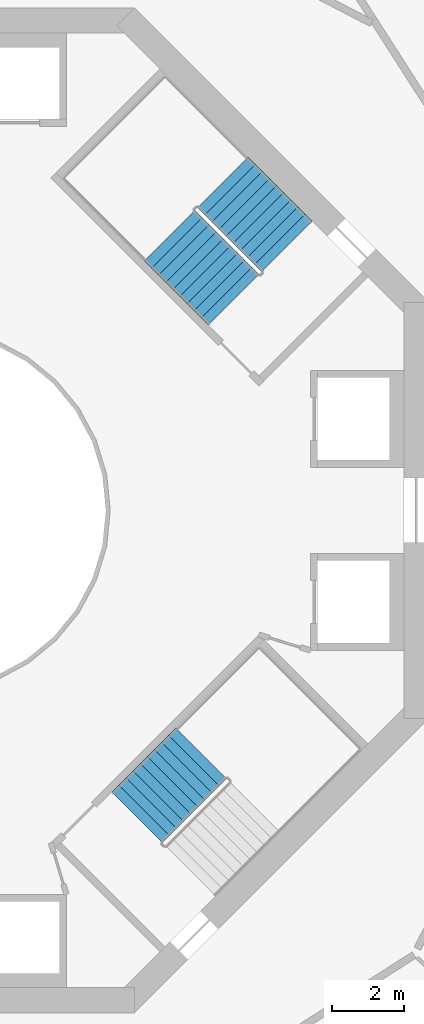
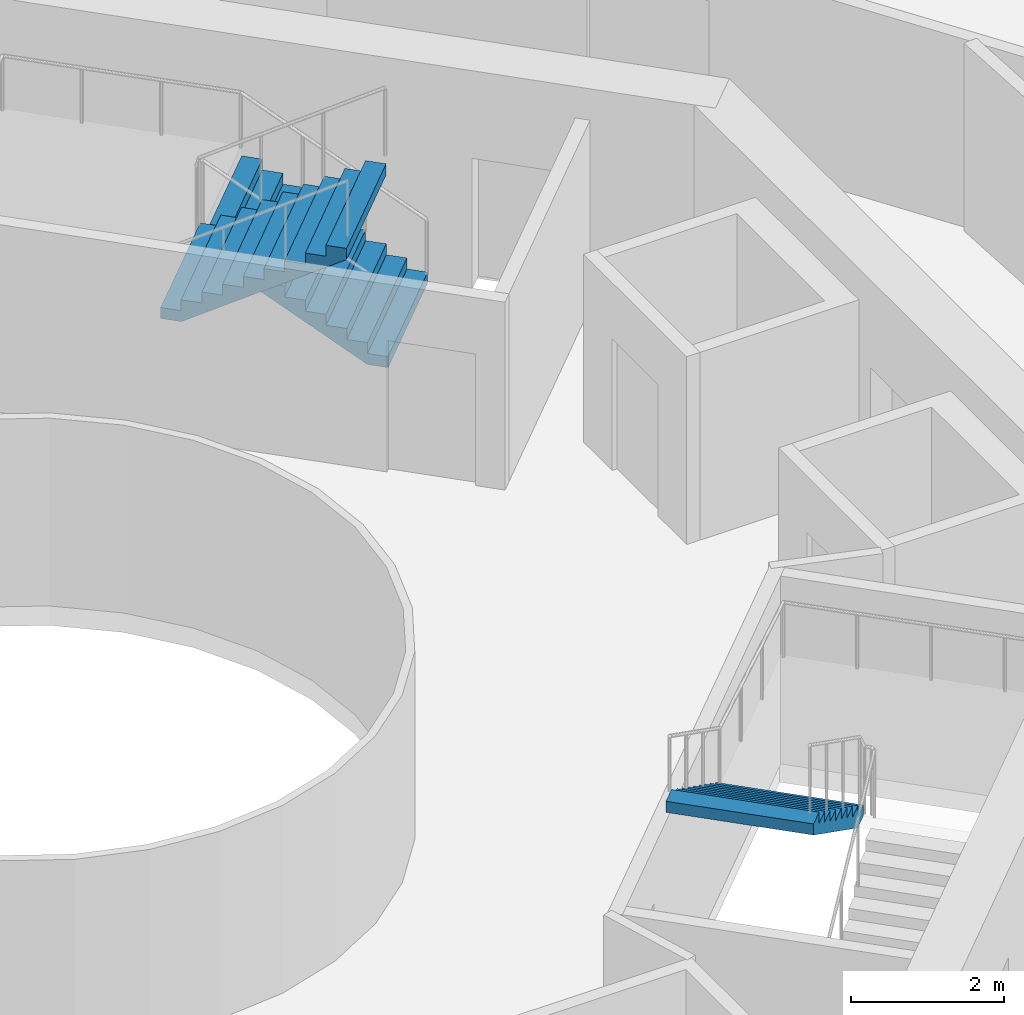
# One storey, part 21 of 22: 3 stair flights, 2 elements without a shape of their own.
"""IFC4 building model written with IfcOpenShell, lengths in metres."""

import ifcopenshell
import ifcopenshell.guid

model = None  # the IFC model being written
_history = None  # IfcOwnerHistory: only IFC2X3 demands one
_inside = {}  # id of a spatial element -> (the spatial element, [elements in it])
_under = {}  # id of a project, library or spatial element -> (it, [spatial elements below it])
_declared = {}  # id of a project -> (the project, [libraries it declares])
_typed = {}  # id of a type object -> (the type object, [elements of that type])
_made_of = {}  # id of a material, layer set ... -> (it, [elements and type objects made of it])


def new_model(schema):
    """Start an empty IFC model of exactly this schema.

    Asked for "IFC4X3", IfcOpenShell would pick the latest addendum, in which some entities
    have other attributes; the version numbers below select the first issue.
    IFC2X3 requires an IfcOwnerHistory on every rooted entity: one is made here for all.
    """
    global model, _history
    if schema == "IFC4X3":
        model = ifcopenshell.file(schema_version=(4, 3, 0, 0))
    else:
        model = ifcopenshell.file(schema=schema)
    _inside.clear()
    _under.clear()
    _declared.clear()
    _typed.clear()
    _made_of.clear()
    _history = None
    if model.schema == "IFC2X3":
        org = make("IfcOrganization", Name="unknown")
        user = make(
            "IfcPersonAndOrganization",
            ThePerson=make("IfcPerson", FamilyName="unknown"),
            TheOrganization=org,
        )
        app = make(
            "IfcApplication",
            ApplicationDeveloper=org,
            Version="unknown",
            ApplicationFullName="unknown",
            ApplicationIdentifier="unknown",
        )
        _history = make(
            "IfcOwnerHistory",
            OwningUser=user,
            OwningApplication=app,
            ChangeAction="ADDED",
            CreationDate=0,
        )
    return model


def make(cls, **values):
    """One entity of the class cls with the attributes given. An attribute that is None is left unset."""
    return model.create_entity(
        cls, **{name: value for name, value in values.items() if value is not None}
    )


def rooted(cls, **values):
    """An entity with a GlobalId (a new one), such as an element, a storey or a relation."""
    return make(cls, GlobalId=ifcopenshell.guid.new(), OwnerHistory=_history, **values)


def si_unit(unit_type, name, prefix=None):
    """IfcSIUnit, for example si_unit("LENGTHUNIT", "METRE", prefix="MILLI")."""
    return make("IfcSIUnit", UnitType=unit_type, Prefix=prefix, Name=name)


def assignment(units):
    """IfcUnitAssignment: the units of a project."""
    return None if units is None else make("IfcUnitAssignment", Units=units)


def point(xyz):
    """IfcCartesianPoint."""
    return None if xyz is None else make("IfcCartesianPoint", Coordinates=xyz)


def direction(xyz):
    """IfcDirection."""
    return None if xyz is None else make("IfcDirection", DirectionRatios=xyz)


def frame(location, z_axis=None, x_axis=None):
    """IfcAxis2Placement3D, a coordinate frame: its origin and axes. An axis left out is left unset."""
    return make(
        "IfcAxis2Placement3D",
        Location=point(location),
        Axis=direction(z_axis),
        RefDirection=direction(x_axis),
    )


def origin():
    """The frame at (0, 0, 0) with its axes left unset."""
    return frame((0.0, 0.0, 0.0))


def place(relative_to, where):
    """IfcLocalPlacement: puts the frame where relative to a parent placement (None: the world)."""
    return make(
        "IfcLocalPlacement", PlacementRelTo=relative_to, RelativePlacement=where
    )


def context(
    kind, dimensions, precision=None, world=None, true_north=None, identifier=None
):
    """IfcGeometricRepresentationContext, for example the 3D "Model" context."""
    return make(
        "IfcGeometricRepresentationContext",
        ContextIdentifier=identifier,
        ContextType=kind,
        CoordinateSpaceDimension=dimensions,
        Precision=precision,
        WorldCoordinateSystem=world,
        TrueNorth=true_north,
    )


def subcontext(parent, identifier, kind, view, scale=None):
    """IfcGeometricRepresentationSubContext, for example "Body" below "Model"."""
    return make(
        "IfcGeometricRepresentationSubContext",
        ContextIdentifier=identifier,
        ContextType=kind,
        ParentContext=parent,
        TargetScale=scale,
        TargetView=view,
    )


def project(units=None, contexts=None):
    """IfcProject with its units and contexts."""
    return rooted(
        "IfcProject",
        Name="project",
        RepresentationContexts=contexts,
        UnitsInContext=assignment(units),
    )


def spatial(cls, under=None, at=None, **own):
    """A site, building, storey or space (cls), placed at a placement, below another one or the project."""
    s = rooted(cls, ObjectPlacement=at, **own)
    if under is not None:
        _under.setdefault(under.id(), (under, []))[1].append(s)
    return s


def point_list(points):
    """IfcCartesianPointList2D or 3D."""
    cls = (
        "IfcCartesianPointList2D" if len(points[0]) == 2 else "IfcCartesianPointList3D"
    )
    return make(cls, CoordList=points)


def triangles(points, corners, closed=None, point_numbers=None):
    """IfcTriangulatedFaceSet: each triangle names its three corners, points numbered from 1."""
    return make(
        "IfcTriangulatedFaceSet",
        Coordinates=point_list(points),
        Closed=closed,
        CoordIndex=corners,
        PnIndex=point_numbers,
    )


def shape(context_of_items, identifier, shape_type, items):
    """IfcShapeRepresentation: the items that make up one representation, for example the "Body"."""
    return make(
        "IfcShapeRepresentation",
        ContextOfItems=context_of_items,
        RepresentationIdentifier=identifier,
        RepresentationType=shape_type,
        Items=items,
    )


def material(Name=None, Category=None):
    """IfcMaterial."""
    return make("IfcMaterial", Name=Name, Category=Category)


def made_of(thing, what):
    """Note that an element or type object is made of a material, layer set ...; save() writes the relation."""
    if what is not None:
        _made_of.setdefault(what.id(), (what, []))[1].append(thing)
    return thing


def type_object(cls, material=None, **own):
    """A type object (cls), such as IfcWallType, which elements share."""
    return made_of(rooted(cls, **own), material)


def element(
    cls,
    number,
    at=None,
    inside=None,
    cuts=None,
    type_object=None,
    material=None,
    context=None,
    identifier="Body",
    shape_type=None,
    held_by="IfcProductDefinitionShape",
    body=None,
    shapes=None,
    **own,
):
    """One element of the class cls, such as IfcWall. Its Tag is "e" and its number.

    at: its placement. inside: the storey or other place that contains it. cuts: it is an
    opening in that element (IfcRelVoidsElement). A single representation is given by context,
    identifier, shape_type and body (its items); several are given by shapes. held_by: the class
    of the entity that holds the representations. save() writes the other relations.
    """
    e = rooted(cls, Tag="e%d" % number, ObjectPlacement=at, **own)
    if body is not None:
        shapes = [shape(context, identifier, shape_type, body)]
    if shapes is not None:
        e.Representation = make(held_by, Representations=shapes)
    if inside is not None:
        _inside.setdefault(inside.id(), (inside, []))[1].append(e)
    if cuts is not None:
        rooted(
            "IfcRelVoidsElement", RelatingBuildingElement=cuts, RelatedOpeningElement=e
        )
    if type_object is not None:
        _typed.setdefault(type_object.id(), (type_object, []))[1].append(e)
    return made_of(e, material)


def aggregate(whole, parts):
    """IfcRelAggregates: a whole, such as a stair, and the parts it consists of."""
    return rooted("IfcRelAggregates", RelatingObject=whole, RelatedObjects=parts)


def save(model, path):
    """Write the relations noted so far, then the file.

    IfcRelAggregates (storeys below a building ...), IfcRelContainedInSpatialStructure (elements
    in a storey), IfcRelDefinesByType, IfcRelAssociatesMaterial and IfcRelDeclares: one each for
    every whole, place, type object, material and project.
    """
    for whole, parts in _under.values():
        aggregate(whole, parts)
    for where, things in _inside.values():
        rooted(
            "IfcRelContainedInSpatialStructure",
            RelatedElements=things,
            RelatingStructure=where,
        )
    for kind, things in _typed.values():
        rooted("IfcRelDefinesByType", RelatedObjects=things, RelatingType=kind)
    for what, things in _made_of.values():
        rooted("IfcRelAssociatesMaterial", RelatedObjects=things, RelatingMaterial=what)
    for by, libraries in _declared.values():
        rooted("IfcRelDeclares", RelatingContext=by, RelatedDefinitions=libraries)
    model.write(path)


model = new_model("IFC4")

# Units and contexts
model_context = context("Model", 3, precision=1e-05, world=origin(), true_north=direction((0.0, 1.0)))
body_context = subcontext(model_context, "Body", "Model", "MODEL_VIEW")
ifc_project = project(units=[si_unit("LENGTHUNIT", "METRE"), si_unit("AREAUNIT", "SQUARE_METRE"), si_unit("VOLUMEUNIT", "CUBIC_METRE"), si_unit("PLANEANGLEUNIT", "RADIAN"), si_unit("MASSUNIT", "GRAM", prefix="KILO")], contexts=[model_context])

# Site, building, storey
site_placement = place(None, origin())
site = spatial("IfcSite", under=ifc_project, at=site_placement, CompositionType="ELEMENT")
building_placement = place(site_placement, origin())
building = spatial("IfcBuilding", under=site, at=building_placement, Name="Verdalira Terraces Hotel", CompositionType="ELEMENT")
storey_placement = place(building_placement, frame((0.0, 0.0, 165.5)))
storey = spatial("IfcBuildingStorey", under=building, at=storey_placement, Name="L40", CompositionType="ELEMENT", Elevation=165.5)

# Stair, stair flights
ifc_material_1 = material(Name="Concrete C40", Category="concrete")
stair_type = type_object("IfcStairType", Name="Core stair 20 risers 2000 mm wide", PredefinedType="HALF_TURN_STAIR", material=ifc_material_1)
stair_1_placement = place(storey_placement, origin())
stair_1 = element("IfcStair", 1, at=stair_1_placement, inside=storey, type_object=stair_type, Name="L40 Exit stair ST1", PredefinedType="HALF_TURN_STAIR")
ifc_material_2 = material(Name="Concrete C40", Category="concrete")
stair_flight_type = type_object("IfcStairFlightType", Name="Core stair flight 20 risers 2000 mm wide", PredefinedType="STRAIGHT", material=ifc_material_2)
stair_flight_1_placement = place(storey_placement, frame((10.041016, 7.354004, 0.0), z_axis=(0.0, 0.0, 1.0), x_axis=(-0.707106781, 0.707106781, 0.0)))
stair_flight_1 = element("IfcStairFlight", 2, at=stair_flight_1_placement, type_object=stair_flight_type, Name="ST1 flight 1", NumberOfRisers=10, NumberOfTreads=9, PredefinedType="STRAIGHT", RiserHeight=0.175, TreadLength=0.28, context=body_context, shape_type="Tessellation", body=[
    triangles([(0.0, 1.0, 0.0), (0.282715, 1.0, 0.0), (2.52002, 1.0, 1.398193), (0.0, -1.0, 0.0), (0.282715, -1.0, 0.0), (2.52002, -1.0, 1.398193), (2.52002, 1.0, 1.574951), (2.23999, 1.0, 1.574951), (2.52002, -1.0, 1.574951), (2.23999, -1.0, 1.574951), (2.23999, 1.0, 1.399902), (2.23999, -1.0, 1.399902), (1.959961, 1.0, 1.399902), (1.959961, -1.0, 1.399902), (1.959961, 1.0, 1.225098), (1.959961, -1.0, 1.225098), (1.679932, 1.0, 1.225098), (1.679932, 1.0, 1.050049), (1.679932, -1.0, 1.225098), (1.679932, -1.0, 1.050049), (1.399902, 1.0, 1.050049), (1.399902, 1.0, 0.875), (1.399902, -1.0, 1.050049), (1.399902, -1.0, 0.875), (1.120117, 1.0, 0.875), (1.120117, 1.0, 0.699951), (1.120117, -1.0, 0.875), (1.120117, -1.0, 0.699951), (0.840088, 1.0, 0.699951), (0.840088, 1.0, 0.524902), (0.840088, -1.0, 0.699951), (0.840088, -1.0, 0.524902), (0.560059, 1.0, 0.524902), (0.560059, 1.0, 0.350098), (0.560059, -1.0, 0.524902), (0.560059, -1.0, 0.350098), (0.280029, 1.0, 0.350098), (0.280029, 1.0, 0.175049), (0.280029, -1.0, 0.350098), (0.280029, -1.0, 0.175049), (0.0, 1.0, 0.175049), (0.0, -1.0, 0.175049), (0.0, -0.9375, 0.0), (0.0, -0.9375, 0.175049), (0.0, -0.875, 0.0), (0.0, -0.875, 0.175049), (0.0, -0.8125, 0.0), (0.0, -0.8125, 0.175049), (0.0, -0.75, 0.0), (0.0, -0.75, 0.175049), (0.0, -0.6875, 0.0), (0.0, -0.6875, 0.175049), (0.0, -0.625, 0.0), (0.0, -0.625, 0.175049), (0.0, -0.5625, 0.0), (0.0, -0.5625, 0.175049), (0.0, -0.5, 0.0), (0.0, -0.5, 0.175049), (0.0, -0.4375, 0.0), (0.0, -0.4375, 0.175049), (0.0, -0.375, 0.0), (0.0, -0.375, 0.175049), (0.0, -0.3125, 0.0), (0.0, -0.3125, 0.175049), (0.0, -0.25, 0.0), (0.0, -0.25, 0.175049), (0.0, -0.1875, 0.0), (0.0, -0.1875, 0.175049), (0.0, -0.125, 0.0), (0.0, -0.125, 0.175049), (0.0, -0.0625, 0.0), (0.0, -0.0625, 0.175049), (0.0, 0.0, 0.0), (0.0, 0.0, 0.175049), (0.0, 0.0625, 0.0), (0.0, 0.0625, 0.175049), (0.0, 0.125, 0.0), (0.0, 0.125, 0.175049), (0.0, 0.1875, 0.0), (0.0, 0.1875, 0.175049), (0.0, 0.25, 0.0), (0.0, 0.25, 0.175049), (0.0, 0.3125, 0.0), (0.0, 0.3125, 0.175049), (0.0, 0.375, 0.0), (0.0, 0.375, 0.175049), (0.0, 0.4375, 0.0), (0.0, 0.4375, 0.175049), (0.0, 0.5, 0.0), (0.0, 0.5, 0.175049), (0.0, 0.5625, 0.0), (0.0, 0.5625, 0.175049), (0.0, 0.625, 0.0), (0.0, 0.625, 0.175049), (0.0, 0.6875, 0.0), (0.0, 0.6875, 0.175049), (0.0, 0.75, 0.0), (0.0, 0.75, 0.175049), (0.0, 0.8125, 0.0), (0.0, 0.8125, 0.175049), (0.0, 0.875, 0.0), (0.0, 0.875, 0.175049), (0.0, 0.9375, 0.0), (0.0, 0.9375, 0.175049), (2.52002, -0.9375, 1.574951), (2.52002, -0.875, 1.574951), (2.52002, -0.8125, 1.574951), (2.52002, -0.75, 1.574951), (2.52002, -0.6875, 1.574951), (2.52002, -0.625, 1.574951), (2.52002, -0.5625, 1.574951), (2.52002, -0.5, 1.574951), (2.52002, -0.4375, 1.574951), (2.52002, -0.375, 1.574951), (2.52002, -0.3125, 1.574951), (2.52002, -0.25, 1.574951), (2.52002, -0.1875, 1.574951), (2.52002, -0.125, 1.574951), (2.52002, -0.0625, 1.574951), (2.52002, 0.0, 1.574951), (2.52002, 0.0625, 1.574951), (2.52002, 0.125, 1.574951), (2.52002, 0.1875, 1.574951), (2.52002, 0.25, 1.574951), (2.52002, 0.3125, 1.574951), (2.52002, 0.375, 1.574951), (2.52002, 0.4375, 1.574951), (2.52002, 0.5, 1.574951), (2.52002, 0.5625, 1.574951), (2.52002, 0.625, 1.574951), (2.52002, 0.6875, 1.574951), (2.52002, 0.75, 1.574951), (2.52002, 0.8125, 1.574951), (2.52002, 0.875, 1.574951), (2.52002, 0.9375, 1.574951), (2.52002, -0.9375, 1.398193), (2.52002, -0.875, 1.398193), (2.52002, -0.8125, 1.398193), (2.52002, -0.75, 1.398193), (2.52002, -0.6875, 1.398193), (2.52002, -0.625, 1.398193), (2.52002, -0.5625, 1.398193), (2.52002, -0.5, 1.398193), (2.52002, -0.4375, 1.398193), (2.52002, -0.375, 1.398193), (2.52002, -0.3125, 1.398193), (2.52002, -0.25, 1.398193), (2.52002, -0.1875, 1.398193), (2.52002, -0.125, 1.398193), (2.52002, -0.0625, 1.398193), (2.52002, 0.0, 1.398193), (2.52002, 0.0625, 1.398193), (2.52002, 0.125, 1.398193), (2.52002, 0.1875, 1.398193), (2.52002, 0.25, 1.398193), (2.52002, 0.3125, 1.398193), (2.52002, 0.375, 1.398193), (2.52002, 0.4375, 1.398193), (2.52002, 0.5, 1.398193), (2.52002, 0.5625, 1.398193), (2.52002, 0.625, 1.398193), (2.52002, 0.6875, 1.398193), (2.52002, 0.75, 1.398193), (2.52002, 0.8125, 1.398193), (2.52002, 0.875, 1.398193), (2.52002, 0.9375, 1.398193)], [[1, 3, 2], [4, 5, 6], [3, 8, 7], [6, 9, 10], [3, 11, 8], [6, 10, 12], [3, 13, 11], [6, 12, 14], [3, 15, 13], [6, 14, 16], [15, 18, 17], [16, 19, 20], [3, 18, 15], [6, 16, 20], [18, 22, 21], [20, 23, 24], [3, 22, 18], [6, 20, 24], [22, 26, 25], [24, 27, 28], [3, 26, 22], [6, 24, 28], [26, 30, 29], [28, 31, 32], [3, 30, 26], [6, 28, 32], [1, 30, 3], [4, 6, 32], [30, 34, 33], [32, 35, 36], [34, 38, 37], [36, 39, 40], [30, 38, 34], [32, 36, 40], [1, 38, 30], [4, 32, 40], [38, 1, 41], [40, 42, 4], [4, 44, 43], [4, 42, 44], [43, 46, 45], [43, 44, 46], [45, 48, 47], [45, 46, 48], [47, 50, 49], [47, 48, 50], [49, 52, 51], [49, 50, 52], [51, 54, 53], [51, 52, 54], [53, 56, 55], [53, 54, 56], [55, 58, 57], [55, 56, 58], [57, 60, 59], [57, 58, 60], [59, 62, 61], [59, 60, 62], [61, 64, 63], [61, 62, 64], [63, 66, 65], [63, 64, 66], [65, 68, 67], [65, 66, 68], [67, 70, 69], [67, 68, 70], [69, 72, 71], [69, 70, 72], [71, 74, 73], [71, 72, 74], [73, 76, 75], [73, 74, 76], [75, 78, 77], [75, 76, 78], [77, 80, 79], [77, 78, 80], [79, 82, 81], [79, 80, 82], [81, 84, 83], [81, 82, 84], [83, 86, 85], [83, 84, 86], [85, 88, 87], [85, 86, 88], [87, 90, 89], [87, 88, 90], [89, 92, 91], [89, 90, 92], [91, 94, 93], [91, 92, 94], [93, 96, 95], [93, 94, 96], [95, 98, 97], [95, 96, 98], [97, 100, 99], [97, 98, 100], [99, 102, 101], [99, 100, 102], [101, 104, 103], [101, 102, 104], [103, 41, 1], [103, 104, 41], [42, 40, 44], [44, 40, 46], [46, 40, 48], [48, 40, 50], [50, 40, 52], [52, 40, 54], [54, 40, 56], [56, 40, 58], [58, 40, 60], [60, 40, 62], [62, 40, 64], [64, 40, 66], [66, 40, 68], [68, 40, 70], [70, 40, 72], [72, 40, 74], [74, 40, 76], [76, 40, 78], [78, 40, 80], [80, 40, 82], [82, 40, 84], [84, 40, 86], [86, 40, 88], [88, 40, 90], [90, 40, 92], [92, 40, 94], [94, 40, 96], [96, 40, 98], [98, 40, 100], [100, 40, 102], [102, 40, 104], [104, 40, 41], [41, 40, 38], [40, 37, 38], [40, 39, 37], [39, 34, 37], [39, 36, 34], [36, 33, 34], [36, 35, 33], [35, 30, 33], [35, 32, 30], [32, 29, 30], [32, 31, 29], [31, 26, 29], [31, 28, 26], [28, 25, 26], [28, 27, 25], [27, 22, 25], [27, 24, 22], [24, 21, 22], [24, 23, 21], [23, 18, 21], [23, 20, 18], [20, 17, 18], [20, 19, 17], [19, 15, 17], [19, 16, 15], [16, 13, 15], [16, 14, 13], [14, 11, 13], [14, 12, 11], [12, 8, 11], [12, 10, 8], [9, 105, 10], [105, 106, 10], [106, 107, 10], [107, 108, 10], [108, 109, 10], [109, 110, 10], [110, 111, 10], [111, 112, 10], [112, 113, 10], [113, 114, 10], [114, 115, 10], [115, 116, 10], [116, 117, 10], [117, 118, 10], [118, 119, 10], [119, 120, 10], [120, 121, 10], [121, 122, 10], [122, 123, 10], [123, 124, 10], [124, 125, 10], [125, 126, 10], [126, 127, 10], [127, 128, 10], [128, 129, 10], [129, 130, 10], [130, 131, 10], [131, 132, 10], [132, 133, 10], [133, 134, 10], [134, 135, 10], [135, 7, 10], [7, 8, 10], [9, 136, 105], [9, 6, 136], [105, 137, 106], [105, 136, 137], [106, 138, 107], [106, 137, 138], [107, 139, 108], [107, 138, 139], [108, 140, 109], [108, 139, 140], [109, 141, 110], [109, 140, 141], [110, 142, 111], [110, 141, 142], [111, 143, 112], [111, 142, 143], [112, 144, 113], [112, 143, 144], [113, 145, 114], [113, 144, 145], [114, 146, 115], [114, 145, 146], [115, 147, 116], [115, 146, 147], [116, 148, 117], [116, 147, 148], [117, 149, 118], [117, 148, 149], [118, 150, 119], [118, 149, 150], [119, 151, 120], [119, 150, 151], [120, 152, 121], [120, 151, 152], [121, 153, 122], [121, 152, 153], [122, 154, 123], [122, 153, 154], [123, 155, 124], [123, 154, 155], [124, 156, 125], [124, 155, 156], [125, 157, 126], [125, 156, 157], [126, 158, 127], [126, 157, 158], [127, 159, 128], [127, 158, 159], [128, 160, 129], [128, 159, 160], [129, 161, 130], [129, 160, 161], [130, 162, 131], [130, 161, 162], [131, 163, 132], [131, 162, 163], [132, 164, 133], [132, 163, 164], [133, 165, 134], [133, 164, 165], [134, 166, 135], [134, 165, 166], [135, 3, 7], [135, 166, 3], [6, 5, 136], [136, 5, 137], [137, 5, 138], [138, 5, 139], [139, 5, 140], [140, 5, 141], [141, 5, 142], [142, 5, 143], [143, 5, 144], [144, 5, 145], [145, 5, 146], [146, 5, 147], [147, 5, 148], [148, 5, 149], [149, 5, 150], [150, 5, 151], [151, 5, 152], [152, 5, 153], [153, 5, 154], [154, 5, 155], [155, 5, 156], [156, 5, 157], [157, 5, 158], [158, 5, 159], [159, 5, 160], [160, 5, 161], [161, 5, 162], [162, 5, 163], [163, 5, 164], [164, 5, 165], [165, 5, 166], [166, 5, 3], [3, 5, 2], [4, 43, 5], [43, 45, 5], [45, 47, 5], [47, 49, 5], [49, 51, 5], [51, 53, 5], [53, 55, 5], [55, 57, 5], [57, 59, 5], [59, 61, 5], [61, 63, 5], [63, 65, 5], [65, 67, 5], [67, 69, 5], [69, 71, 5], [71, 73, 5], [73, 75, 5], [75, 77, 5], [77, 79, 5], [79, 81, 5], [81, 83, 5], [83, 85, 5], [85, 87, 5], [87, 89, 5], [89, 91, 5], [91, 93, 5], [93, 95, 5], [95, 97, 5], [97, 99, 5], [99, 101, 5], [101, 103, 5], [103, 1, 5], [1, 2, 5]], closed=True),
])
stair_flight_2_placement = place(storey_placement, frame((6.77417, 7.650879, 1.75), z_axis=(0.0, 0.0, 1.0), x_axis=(0.707106781, -0.707106781, 0.0)))
stair_flight_2 = element("IfcStairFlight", 3, at=stair_flight_2_placement, type_object=stair_flight_type, Name="ST1 flight 2", NumberOfRisers=10, NumberOfTreads=9, PredefinedType="STRAIGHT", RiserHeight=0.175, TreadLength=0.28, context=body_context, shape_type="Tessellation", body=[
    triangles([(0.0, 1.0, 0.0), (0.282715, 1.0, 0.0), (2.52002, 1.0, 1.398193), (0.0, -1.0, 0.0), (0.282715, -1.0, 0.0), (2.52002, -1.0, 1.398193), (2.52002, 1.0, 1.574951), (2.23999, 1.0, 1.574951), (2.52002, -1.0, 1.574951), (2.23999, -1.0, 1.574951), (2.23999, 1.0, 1.399902), (2.23999, -1.0, 1.399902), (1.959961, 1.0, 1.399902), (1.959961, -1.0, 1.399902), (1.959961, 1.0, 1.225098), (1.959961, -1.0, 1.225098), (1.679932, 1.0, 1.225098), (1.679932, 1.0, 1.050049), (1.679932, -1.0, 1.225098), (1.679932, -1.0, 1.050049), (1.399902, 1.0, 1.050049), (1.399902, 1.0, 0.875), (1.399902, -1.0, 1.050049), (1.399902, -1.0, 0.875), (1.120117, 1.0, 0.875), (1.120117, 1.0, 0.699951), (1.120117, -1.0, 0.875), (1.120117, -1.0, 0.699951), (0.840088, 1.0, 0.699951), (0.840088, 1.0, 0.524902), (0.840088, -1.0, 0.699951), (0.840088, -1.0, 0.524902), (0.560059, 1.0, 0.524902), (0.560059, 1.0, 0.350098), (0.560059, -1.0, 0.524902), (0.560059, -1.0, 0.350098), (0.280029, 1.0, 0.350098), (0.280029, 1.0, 0.175049), (0.280029, -1.0, 0.350098), (0.280029, -1.0, 0.175049), (0.0, 1.0, 0.175049), (0.0, -1.0, 0.175049), (0.0, -0.9375, 0.0), (0.0, -0.9375, 0.175049), (0.0, -0.875, 0.0), (0.0, -0.875, 0.175049), (0.0, -0.8125, 0.0), (0.0, -0.8125, 0.175049), (0.0, -0.75, 0.0), (0.0, -0.75, 0.175049), (0.0, -0.6875, 0.0), (0.0, -0.6875, 0.175049), (0.0, -0.625, 0.0), (0.0, -0.625, 0.175049), (0.0, -0.5625, 0.0), (0.0, -0.5625, 0.175049), (0.0, -0.5, 0.0), (0.0, -0.5, 0.175049), (0.0, -0.4375, 0.0), (0.0, -0.4375, 0.175049), (0.0, -0.375, 0.0), (0.0, -0.375, 0.175049), (0.0, -0.3125, 0.0), (0.0, -0.3125, 0.175049), (0.0, -0.25, 0.0), (0.0, -0.25, 0.175049), (0.0, -0.1875, 0.0), (0.0, -0.1875, 0.175049), (0.0, -0.125, 0.0), (0.0, -0.125, 0.175049), (0.0, -0.0625, 0.0), (0.0, -0.0625, 0.175049), (0.0, 0.0, 0.0), (0.0, 0.0, 0.175049), (0.0, 0.0625, 0.0), (0.0, 0.0625, 0.175049), (0.0, 0.125, 0.0), (0.0, 0.125, 0.175049), (0.0, 0.1875, 0.0), (0.0, 0.1875, 0.175049), (0.0, 0.25, 0.0), (0.0, 0.25, 0.175049), (0.0, 0.3125, 0.0), (0.0, 0.3125, 0.175049), (0.0, 0.375, 0.0), (0.0, 0.375, 0.175049), (0.0, 0.4375, 0.0), (0.0, 0.4375, 0.175049), (0.0, 0.5, 0.0), (0.0, 0.5, 0.175049), (0.0, 0.5625, 0.0), (0.0, 0.5625, 0.175049), (0.0, 0.625, 0.0), (0.0, 0.625, 0.175049), (0.0, 0.6875, 0.0), (0.0, 0.6875, 0.175049), (0.0, 0.75, 0.0), (0.0, 0.75, 0.175049), (0.0, 0.8125, 0.0), (0.0, 0.8125, 0.175049), (0.0, 0.875, 0.0), (0.0, 0.875, 0.175049), (0.0, 0.9375, 0.0), (0.0, 0.9375, 0.175049), (2.52002, -0.9375, 1.574951), (2.52002, -0.875, 1.574951), (2.52002, -0.8125, 1.574951), (2.52002, -0.75, 1.574951), (2.52002, -0.6875, 1.574951), (2.52002, -0.625, 1.574951), (2.52002, -0.5625, 1.574951), (2.52002, -0.5, 1.574951), (2.52002, -0.4375, 1.574951), (2.52002, -0.375, 1.574951), (2.52002, -0.3125, 1.574951), (2.52002, -0.25, 1.574951), (2.52002, -0.1875, 1.574951), (2.52002, -0.125, 1.574951), (2.52002, -0.0625, 1.574951), (2.52002, 0.0, 1.574951), (2.52002, 0.0625, 1.574951), (2.52002, 0.125, 1.574951), (2.52002, 0.1875, 1.574951), (2.52002, 0.25, 1.574951), (2.52002, 0.3125, 1.574951), (2.52002, 0.375, 1.574951), (2.52002, 0.4375, 1.574951), (2.52002, 0.5, 1.574951), (2.52002, 0.5625, 1.574951), (2.52002, 0.625, 1.574951), (2.52002, 0.6875, 1.574951), (2.52002, 0.75, 1.574951), (2.52002, 0.8125, 1.574951), (2.52002, 0.875, 1.574951), (2.52002, 0.9375, 1.574951), (2.52002, -0.9375, 1.398193), (2.52002, -0.875, 1.398193), (2.52002, -0.8125, 1.398193), (2.52002, -0.75, 1.398193), (2.52002, -0.6875, 1.398193), (2.52002, -0.625, 1.398193), (2.52002, -0.5625, 1.398193), (2.52002, -0.5, 1.398193), (2.52002, -0.4375, 1.398193), (2.52002, -0.375, 1.398193), (2.52002, -0.3125, 1.398193), (2.52002, -0.25, 1.398193), (2.52002, -0.1875, 1.398193), (2.52002, -0.125, 1.398193), (2.52002, -0.0625, 1.398193), (2.52002, 0.0, 1.398193), (2.52002, 0.0625, 1.398193), (2.52002, 0.125, 1.398193), (2.52002, 0.1875, 1.398193), (2.52002, 0.25, 1.398193), (2.52002, 0.3125, 1.398193), (2.52002, 0.375, 1.398193), (2.52002, 0.4375, 1.398193), (2.52002, 0.5, 1.398193), (2.52002, 0.5625, 1.398193), (2.52002, 0.625, 1.398193), (2.52002, 0.6875, 1.398193), (2.52002, 0.75, 1.398193), (2.52002, 0.8125, 1.398193), (2.52002, 0.875, 1.398193), (2.52002, 0.9375, 1.398193)], [[1, 3, 2], [4, 5, 6], [3, 8, 7], [6, 9, 10], [3, 11, 8], [6, 10, 12], [3, 13, 11], [6, 12, 14], [3, 15, 13], [6, 14, 16], [15, 18, 17], [16, 19, 20], [3, 18, 15], [6, 16, 20], [18, 22, 21], [20, 23, 24], [3, 22, 18], [6, 20, 24], [22, 26, 25], [24, 27, 28], [3, 26, 22], [6, 24, 28], [26, 30, 29], [28, 31, 32], [3, 30, 26], [6, 28, 32], [1, 30, 3], [4, 6, 32], [30, 34, 33], [32, 35, 36], [34, 38, 37], [36, 39, 40], [30, 38, 34], [32, 36, 40], [1, 38, 30], [4, 32, 40], [38, 1, 41], [40, 42, 4], [4, 44, 43], [4, 42, 44], [43, 46, 45], [43, 44, 46], [45, 48, 47], [45, 46, 48], [47, 50, 49], [47, 48, 50], [49, 52, 51], [49, 50, 52], [51, 54, 53], [51, 52, 54], [53, 56, 55], [53, 54, 56], [55, 58, 57], [55, 56, 58], [57, 60, 59], [57, 58, 60], [59, 62, 61], [59, 60, 62], [61, 64, 63], [61, 62, 64], [63, 66, 65], [63, 64, 66], [65, 68, 67], [65, 66, 68], [67, 70, 69], [67, 68, 70], [69, 72, 71], [69, 70, 72], [71, 74, 73], [71, 72, 74], [73, 76, 75], [73, 74, 76], [75, 78, 77], [75, 76, 78], [77, 80, 79], [77, 78, 80], [79, 82, 81], [79, 80, 82], [81, 84, 83], [81, 82, 84], [83, 86, 85], [83, 84, 86], [85, 88, 87], [85, 86, 88], [87, 90, 89], [87, 88, 90], [89, 92, 91], [89, 90, 92], [91, 94, 93], [91, 92, 94], [93, 96, 95], [93, 94, 96], [95, 98, 97], [95, 96, 98], [97, 100, 99], [97, 98, 100], [99, 102, 101], [99, 100, 102], [101, 104, 103], [101, 102, 104], [103, 41, 1], [103, 104, 41], [42, 40, 44], [44, 40, 46], [46, 40, 48], [48, 40, 50], [50, 40, 52], [52, 40, 54], [54, 40, 56], [56, 40, 58], [58, 40, 60], [60, 40, 62], [62, 40, 64], [64, 40, 66], [66, 40, 68], [68, 40, 70], [70, 40, 72], [72, 40, 74], [74, 40, 76], [76, 40, 78], [78, 40, 80], [80, 40, 82], [82, 40, 84], [84, 40, 86], [86, 40, 88], [88, 40, 90], [90, 40, 92], [92, 40, 94], [94, 40, 96], [96, 40, 98], [98, 40, 100], [100, 40, 102], [102, 40, 104], [104, 40, 41], [41, 40, 38], [40, 37, 38], [40, 39, 37], [39, 34, 37], [39, 36, 34], [36, 33, 34], [36, 35, 33], [35, 30, 33], [35, 32, 30], [32, 29, 30], [32, 31, 29], [31, 26, 29], [31, 28, 26], [28, 25, 26], [28, 27, 25], [27, 22, 25], [27, 24, 22], [24, 21, 22], [24, 23, 21], [23, 18, 21], [23, 20, 18], [20, 17, 18], [20, 19, 17], [19, 15, 17], [19, 16, 15], [16, 13, 15], [16, 14, 13], [14, 11, 13], [14, 12, 11], [12, 8, 11], [12, 10, 8], [9, 105, 10], [105, 106, 10], [106, 107, 10], [107, 108, 10], [108, 109, 10], [109, 110, 10], [110, 111, 10], [111, 112, 10], [112, 113, 10], [113, 114, 10], [114, 115, 10], [115, 116, 10], [116, 117, 10], [117, 118, 10], [118, 119, 10], [119, 120, 10], [120, 121, 10], [121, 122, 10], [122, 123, 10], [123, 124, 10], [124, 125, 10], [125, 126, 10], [126, 127, 10], [127, 128, 10], [128, 129, 10], [129, 130, 10], [130, 131, 10], [131, 132, 10], [132, 133, 10], [133, 134, 10], [134, 135, 10], [135, 7, 10], [7, 8, 10], [9, 136, 105], [9, 6, 136], [105, 137, 106], [105, 136, 137], [106, 138, 107], [106, 137, 138], [107, 139, 108], [107, 138, 139], [108, 140, 109], [108, 139, 140], [109, 141, 110], [109, 140, 141], [110, 142, 111], [110, 141, 142], [111, 143, 112], [111, 142, 143], [112, 144, 113], [112, 143, 144], [113, 145, 114], [113, 144, 145], [114, 146, 115], [114, 145, 146], [115, 147, 116], [115, 146, 147], [116, 148, 117], [116, 147, 148], [117, 149, 118], [117, 148, 149], [118, 150, 119], [118, 149, 150], [119, 151, 120], [119, 150, 151], [120, 152, 121], [120, 151, 152], [121, 153, 122], [121, 152, 153], [122, 154, 123], [122, 153, 154], [123, 155, 124], [123, 154, 155], [124, 156, 125], [124, 155, 156], [125, 157, 126], [125, 156, 157], [126, 158, 127], [126, 157, 158], [127, 159, 128], [127, 158, 159], [128, 160, 129], [128, 159, 160], [129, 161, 130], [129, 160, 161], [130, 162, 131], [130, 161, 162], [131, 163, 132], [131, 162, 163], [132, 164, 133], [132, 163, 164], [133, 165, 134], [133, 164, 165], [134, 166, 135], [134, 165, 166], [135, 3, 7], [135, 166, 3], [6, 5, 136], [136, 5, 137], [137, 5, 138], [138, 5, 139], [139, 5, 140], [140, 5, 141], [141, 5, 142], [142, 5, 143], [143, 5, 144], [144, 5, 145], [145, 5, 146], [146, 5, 147], [147, 5, 148], [148, 5, 149], [149, 5, 150], [150, 5, 151], [151, 5, 152], [152, 5, 153], [153, 5, 154], [154, 5, 155], [155, 5, 156], [156, 5, 157], [157, 5, 158], [158, 5, 159], [159, 5, 160], [160, 5, 161], [161, 5, 162], [162, 5, 163], [163, 5, 164], [164, 5, 165], [165, 5, 166], [166, 5, 3], [3, 5, 2], [4, 43, 5], [43, 45, 5], [45, 47, 5], [47, 49, 5], [49, 51, 5], [51, 53, 5], [53, 55, 5], [55, 57, 5], [57, 59, 5], [59, 61, 5], [61, 63, 5], [63, 65, 5], [65, 67, 5], [67, 69, 5], [69, 71, 5], [71, 73, 5], [73, 75, 5], [75, 77, 5], [77, 79, 5], [79, 81, 5], [81, 83, 5], [83, 85, 5], [85, 87, 5], [87, 89, 5], [89, 91, 5], [91, 93, 5], [93, 95, 5], [95, 97, 5], [97, 99, 5], [99, 101, 5], [101, 103, 5], [103, 1, 5], [1, 2, 5]], closed=True),
])
aggregate(stair_1, [stair_flight_1, stair_flight_2])

# Stair, stair flight
stair_2_placement = place(storey_placement, origin())
stair_2 = element("IfcStair", 4, at=stair_2_placement, inside=storey, type_object=stair_type, Name="L40 Exit stair ST3", PredefinedType="HALF_TURN_STAIR")
stair_flight_3_placement = place(storey_placement, frame((7.650879, -6.77417, 1.75), z_axis=(0.0, 0.0, 1.0), x_axis=(-0.707106781, -0.707106781, 0.0)))
stair_flight_3 = element("IfcStairFlight", 5, at=stair_flight_3_placement, type_object=stair_flight_type, Name="ST3 flight 2", NumberOfRisers=10, NumberOfTreads=9, PredefinedType="STRAIGHT", RiserHeight=0.175, TreadLength=0.28, context=body_context, shape_type="Tessellation", body=[
    triangles([(0.0, 1.0, 0.0), (0.282715, 1.0, 0.0), (2.52002, 1.0, 1.398193), (0.0, -1.0, 0.0), (0.282715, -1.0, 0.0), (2.52002, -1.0, 1.398193), (2.52002, 1.0, 1.574951), (2.23999, 1.0, 1.574951), (2.52002, -1.0, 1.574951), (2.23999, -1.0, 1.574951), (2.23999, 1.0, 1.399902), (2.23999, -1.0, 1.399902), (1.959961, 1.0, 1.399902), (1.959961, -1.0, 1.399902), (1.959961, 1.0, 1.225098), (1.959961, -1.0, 1.225098), (1.679932, 1.0, 1.225098), (1.679932, 1.0, 1.050049), (1.679932, -1.0, 1.225098), (1.679932, -1.0, 1.050049), (1.399902, 1.0, 1.050049), (1.399902, 1.0, 0.875), (1.399902, -1.0, 1.050049), (1.399902, -1.0, 0.875), (1.120117, 1.0, 0.875), (1.120117, 1.0, 0.699951), (1.120117, -1.0, 0.875), (1.120117, -1.0, 0.699951), (0.840088, 1.0, 0.699951), (0.840088, 1.0, 0.524902), (0.840088, -1.0, 0.699951), (0.840088, -1.0, 0.524902), (0.560059, 1.0, 0.524902), (0.560059, 1.0, 0.350098), (0.560059, -1.0, 0.524902), (0.560059, -1.0, 0.350098), (0.280029, 1.0, 0.350098), (0.280029, 1.0, 0.175049), (0.280029, -1.0, 0.350098), (0.280029, -1.0, 0.175049), (0.0, 1.0, 0.175049), (0.0, -1.0, 0.175049), (0.0, -0.9375, 0.0), (0.0, -0.9375, 0.175049), (0.0, -0.875, 0.0), (0.0, -0.875, 0.175049), (0.0, -0.8125, 0.0), (0.0, -0.8125, 0.175049), (0.0, -0.75, 0.0), (0.0, -0.75, 0.175049), (0.0, -0.6875, 0.0), (0.0, -0.6875, 0.175049), (0.0, -0.625, 0.0), (0.0, -0.625, 0.175049), (0.0, -0.5625, 0.0), (0.0, -0.5625, 0.175049), (0.0, -0.5, 0.0), (0.0, -0.5, 0.175049), (0.0, -0.4375, 0.0), (0.0, -0.4375, 0.175049), (0.0, -0.375, 0.0), (0.0, -0.375, 0.175049), (0.0, -0.3125, 0.0), (0.0, -0.3125, 0.175049), (0.0, -0.25, 0.0), (0.0, -0.25, 0.175049), (0.0, -0.1875, 0.0), (0.0, -0.1875, 0.175049), (0.0, -0.125, 0.0), (0.0, -0.125, 0.175049), (0.0, -0.0625, 0.0), (0.0, -0.0625, 0.175049), (0.0, 0.0, 0.0), (0.0, 0.0, 0.175049), (0.0, 0.0625, 0.0), (0.0, 0.0625, 0.175049), (0.0, 0.125, 0.0), (0.0, 0.125, 0.175049), (0.0, 0.1875, 0.0), (0.0, 0.1875, 0.175049), (0.0, 0.25, 0.0), (0.0, 0.25, 0.175049), (0.0, 0.3125, 0.0), (0.0, 0.3125, 0.175049), (0.0, 0.375, 0.0), (0.0, 0.375, 0.175049), (0.0, 0.4375, 0.0), (0.0, 0.4375, 0.175049), (0.0, 0.5, 0.0), (0.0, 0.5, 0.175049), (0.0, 0.5625, 0.0), (0.0, 0.5625, 0.175049), (0.0, 0.625, 0.0), (0.0, 0.625, 0.175049), (0.0, 0.6875, 0.0), (0.0, 0.6875, 0.175049), (0.0, 0.75, 0.0), (0.0, 0.75, 0.175049), (0.0, 0.8125, 0.0), (0.0, 0.8125, 0.175049), (0.0, 0.875, 0.0), (0.0, 0.875, 0.175049), (0.0, 0.9375, 0.0), (0.0, 0.9375, 0.175049), (2.52002, -0.9375, 1.574951), (2.52002, -0.875, 1.574951), (2.52002, -0.8125, 1.574951), (2.52002, -0.75, 1.574951), (2.52002, -0.6875, 1.574951), (2.52002, -0.625, 1.574951), (2.52002, -0.5625, 1.574951), (2.52002, -0.5, 1.574951), (2.52002, -0.4375, 1.574951), (2.52002, -0.375, 1.574951), (2.52002, -0.3125, 1.574951), (2.52002, -0.25, 1.574951), (2.52002, -0.1875, 1.574951), (2.52002, -0.125, 1.574951), (2.52002, -0.0625, 1.574951), (2.52002, 0.0, 1.574951), (2.52002, 0.0625, 1.574951), (2.52002, 0.125, 1.574951), (2.52002, 0.1875, 1.574951), (2.52002, 0.25, 1.574951), (2.52002, 0.3125, 1.574951), (2.52002, 0.375, 1.574951), (2.52002, 0.4375, 1.574951), (2.52002, 0.5, 1.574951), (2.52002, 0.5625, 1.574951), (2.52002, 0.625, 1.574951), (2.52002, 0.6875, 1.574951), (2.52002, 0.75, 1.574951), (2.52002, 0.8125, 1.574951), (2.52002, 0.875, 1.574951), (2.52002, 0.9375, 1.574951), (2.52002, -0.9375, 1.398193), (2.52002, -0.875, 1.398193), (2.52002, -0.8125, 1.398193), (2.52002, -0.75, 1.398193), (2.52002, -0.6875, 1.398193), (2.52002, -0.625, 1.398193), (2.52002, -0.5625, 1.398193), (2.52002, -0.5, 1.398193), (2.52002, -0.4375, 1.398193), (2.52002, -0.375, 1.398193), (2.52002, -0.3125, 1.398193), (2.52002, -0.25, 1.398193), (2.52002, -0.1875, 1.398193), (2.52002, -0.125, 1.398193), (2.52002, -0.0625, 1.398193), (2.52002, 0.0, 1.398193), (2.52002, 0.0625, 1.398193), (2.52002, 0.125, 1.398193), (2.52002, 0.1875, 1.398193), (2.52002, 0.25, 1.398193), (2.52002, 0.3125, 1.398193), (2.52002, 0.375, 1.398193), (2.52002, 0.4375, 1.398193), (2.52002, 0.5, 1.398193), (2.52002, 0.5625, 1.398193), (2.52002, 0.625, 1.398193), (2.52002, 0.6875, 1.398193), (2.52002, 0.75, 1.398193), (2.52002, 0.8125, 1.398193), (2.52002, 0.875, 1.398193), (2.52002, 0.9375, 1.398193)], [[1, 3, 2], [4, 5, 6], [3, 8, 7], [6, 9, 10], [3, 11, 8], [6, 10, 12], [3, 13, 11], [6, 12, 14], [3, 15, 13], [6, 14, 16], [15, 18, 17], [16, 19, 20], [3, 18, 15], [6, 16, 20], [18, 22, 21], [20, 23, 24], [3, 22, 18], [6, 20, 24], [22, 26, 25], [24, 27, 28], [3, 26, 22], [6, 24, 28], [26, 30, 29], [28, 31, 32], [3, 30, 26], [6, 28, 32], [1, 30, 3], [4, 6, 32], [30, 34, 33], [32, 35, 36], [34, 38, 37], [36, 39, 40], [30, 38, 34], [32, 36, 40], [1, 38, 30], [4, 32, 40], [38, 1, 41], [40, 42, 4], [4, 44, 43], [4, 42, 44], [43, 46, 45], [43, 44, 46], [45, 48, 47], [45, 46, 48], [47, 50, 49], [47, 48, 50], [49, 52, 51], [49, 50, 52], [51, 54, 53], [51, 52, 54], [53, 56, 55], [53, 54, 56], [55, 58, 57], [55, 56, 58], [57, 60, 59], [57, 58, 60], [59, 62, 61], [59, 60, 62], [61, 64, 63], [61, 62, 64], [63, 66, 65], [63, 64, 66], [65, 68, 67], [65, 66, 68], [67, 70, 69], [67, 68, 70], [69, 72, 71], [69, 70, 72], [71, 74, 73], [71, 72, 74], [73, 76, 75], [73, 74, 76], [75, 78, 77], [75, 76, 78], [77, 80, 79], [77, 78, 80], [79, 82, 81], [79, 80, 82], [81, 84, 83], [81, 82, 84], [83, 86, 85], [83, 84, 86], [85, 88, 87], [85, 86, 88], [87, 90, 89], [87, 88, 90], [89, 92, 91], [89, 90, 92], [91, 94, 93], [91, 92, 94], [93, 96, 95], [93, 94, 96], [95, 98, 97], [95, 96, 98], [97, 100, 99], [97, 98, 100], [99, 102, 101], [99, 100, 102], [101, 104, 103], [101, 102, 104], [103, 41, 1], [103, 104, 41], [42, 40, 44], [44, 40, 46], [46, 40, 48], [48, 40, 50], [50, 40, 52], [52, 40, 54], [54, 40, 56], [56, 40, 58], [58, 40, 60], [60, 40, 62], [62, 40, 64], [64, 40, 66], [66, 40, 68], [68, 40, 70], [70, 40, 72], [72, 40, 74], [74, 40, 76], [76, 40, 78], [78, 40, 80], [80, 40, 82], [82, 40, 84], [84, 40, 86], [86, 40, 88], [88, 40, 90], [90, 40, 92], [92, 40, 94], [94, 40, 96], [96, 40, 98], [98, 40, 100], [100, 40, 102], [102, 40, 104], [104, 40, 41], [41, 40, 38], [40, 37, 38], [40, 39, 37], [39, 34, 37], [39, 36, 34], [36, 33, 34], [36, 35, 33], [35, 30, 33], [35, 32, 30], [32, 29, 30], [32, 31, 29], [31, 26, 29], [31, 28, 26], [28, 25, 26], [28, 27, 25], [27, 22, 25], [27, 24, 22], [24, 21, 22], [24, 23, 21], [23, 18, 21], [23, 20, 18], [20, 17, 18], [20, 19, 17], [19, 15, 17], [19, 16, 15], [16, 13, 15], [16, 14, 13], [14, 11, 13], [14, 12, 11], [12, 8, 11], [12, 10, 8], [9, 105, 10], [105, 106, 10], [106, 107, 10], [107, 108, 10], [108, 109, 10], [109, 110, 10], [110, 111, 10], [111, 112, 10], [112, 113, 10], [113, 114, 10], [114, 115, 10], [115, 116, 10], [116, 117, 10], [117, 118, 10], [118, 119, 10], [119, 120, 10], [120, 121, 10], [121, 122, 10], [122, 123, 10], [123, 124, 10], [124, 125, 10], [125, 126, 10], [126, 127, 10], [127, 128, 10], [128, 129, 10], [129, 130, 10], [130, 131, 10], [131, 132, 10], [132, 133, 10], [133, 134, 10], [134, 135, 10], [135, 7, 10], [7, 8, 10], [9, 136, 105], [9, 6, 136], [105, 137, 106], [105, 136, 137], [106, 138, 107], [106, 137, 138], [107, 139, 108], [107, 138, 139], [108, 140, 109], [108, 139, 140], [109, 141, 110], [109, 140, 141], [110, 142, 111], [110, 141, 142], [111, 143, 112], [111, 142, 143], [112, 144, 113], [112, 143, 144], [113, 145, 114], [113, 144, 145], [114, 146, 115], [114, 145, 146], [115, 147, 116], [115, 146, 147], [116, 148, 117], [116, 147, 148], [117, 149, 118], [117, 148, 149], [118, 150, 119], [118, 149, 150], [119, 151, 120], [119, 150, 151], [120, 152, 121], [120, 151, 152], [121, 153, 122], [121, 152, 153], [122, 154, 123], [122, 153, 154], [123, 155, 124], [123, 154, 155], [124, 156, 125], [124, 155, 156], [125, 157, 126], [125, 156, 157], [126, 158, 127], [126, 157, 158], [127, 159, 128], [127, 158, 159], [128, 160, 129], [128, 159, 160], [129, 161, 130], [129, 160, 161], [130, 162, 131], [130, 161, 162], [131, 163, 132], [131, 162, 163], [132, 164, 133], [132, 163, 164], [133, 165, 134], [133, 164, 165], [134, 166, 135], [134, 165, 166], [135, 3, 7], [135, 166, 3], [6, 5, 136], [136, 5, 137], [137, 5, 138], [138, 5, 139], [139, 5, 140], [140, 5, 141], [141, 5, 142], [142, 5, 143], [143, 5, 144], [144, 5, 145], [145, 5, 146], [146, 5, 147], [147, 5, 148], [148, 5, 149], [149, 5, 150], [150, 5, 151], [151, 5, 152], [152, 5, 153], [153, 5, 154], [154, 5, 155], [155, 5, 156], [156, 5, 157], [157, 5, 158], [158, 5, 159], [159, 5, 160], [160, 5, 161], [161, 5, 162], [162, 5, 163], [163, 5, 164], [164, 5, 165], [165, 5, 166], [166, 5, 3], [3, 5, 2], [4, 43, 5], [43, 45, 5], [45, 47, 5], [47, 49, 5], [49, 51, 5], [51, 53, 5], [53, 55, 5], [55, 57, 5], [57, 59, 5], [59, 61, 5], [61, 63, 5], [63, 65, 5], [65, 67, 5], [67, 69, 5], [69, 71, 5], [71, 73, 5], [73, 75, 5], [75, 77, 5], [77, 79, 5], [79, 81, 5], [81, 83, 5], [83, 85, 5], [85, 87, 5], [87, 89, 5], [89, 91, 5], [91, 93, 5], [93, 95, 5], [95, 97, 5], [97, 99, 5], [99, 101, 5], [101, 103, 5], [103, 1, 5], [1, 2, 5]], closed=True),
])
aggregate(stair_2, [stair_flight_3])

save(model, "model.ifc")
